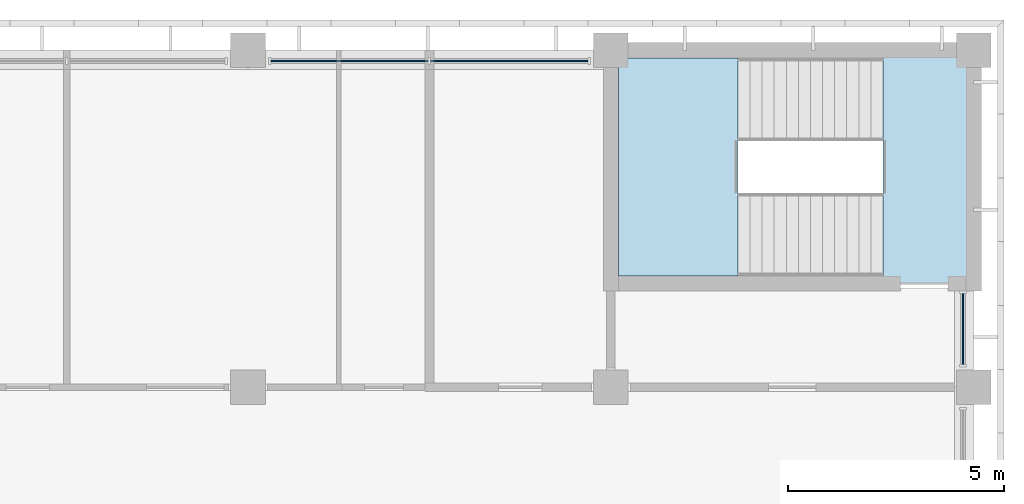
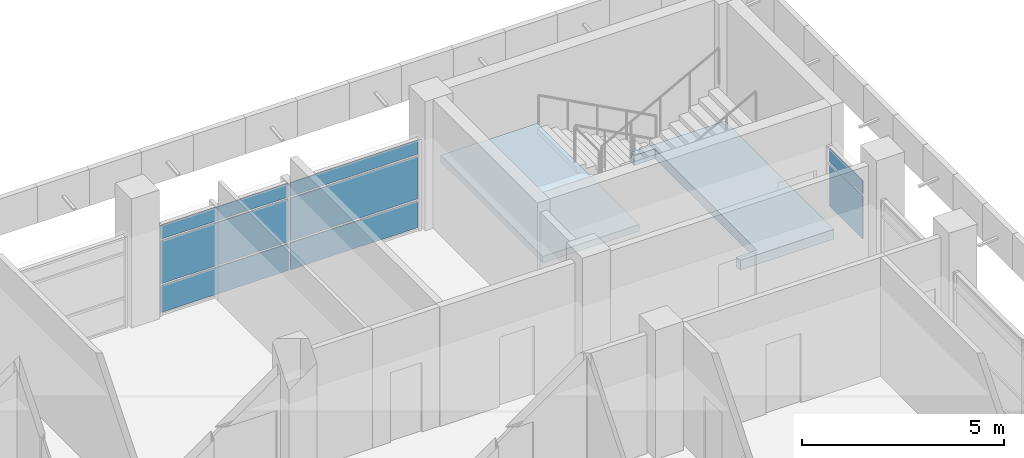
# One storey, part 26 of 71: 8 plates, 2 slabs, 3 elements without a shape of their own.
"""IFC4 building model written with IfcOpenShell, lengths in metres."""

from ifc_helpers import new_model, si_unit, direction, frame, origin, origin_2d, place, context, subcontext, project, spatial, polyline, rectangle, outline, extrude, material, layer, layer_set, type_object, element, aggregate, save


model = new_model("IFC4")

# Units and contexts
model_context = context("Model", 3, precision=1e-05, world=origin(), true_north=direction((0.0, 1.0)))
body_context = subcontext(model_context, "Body", "Model", "MODEL_VIEW")
ifc_project = project(units=[si_unit("LENGTHUNIT", "METRE"), si_unit("AREAUNIT", "SQUARE_METRE"), si_unit("VOLUMEUNIT", "CUBIC_METRE"), si_unit("PLANEANGLEUNIT", "RADIAN"), si_unit("MASSUNIT", "GRAM", prefix="KILO")], contexts=[model_context])

# Site, building, storey
site_placement = place(None, origin())
site = spatial("IfcSite", under=ifc_project, at=site_placement, CompositionType="ELEMENT")
building_placement = place(site_placement, origin())
building = spatial("IfcBuilding", under=site, at=building_placement, Name="Bougainvillea Quay General Hospital", CompositionType="ELEMENT")
storey_placement = place(building_placement, frame((0.0, 0.0, 24.89990234375)))
storey = spatial("IfcBuildingStorey", under=building, at=storey_placement, Name="L05", CompositionType="ELEMENT", Elevation=24.89990234375)

# Curtain wall, plates
ifc_material_1 = material(Name="Aluminium curtain wall system, powder-coated glazed", Category="aluminium")
curtain_wall_type_1 = type_object("IfcCurtainWallType", Name="Unitised curtain wall CW-3730", PredefinedType="NOTDEFINED", material=ifc_material_1)
curtain_wall_1_placement = place(storey_placement, origin())
curtain_wall_1 = element("IfcCurtainWall", 1, at=curtain_wall_1_placement, inside=storey, type_object=curtain_wall_type_1, Name="CW-4200 00", PredefinedType="NOTDEFINED")
ifc_material_2 = material(Name="Insulated aluminium spandrel panel, white", Category="aluminium")
ifc_layer_1 = layer(ifc_material_2, 0.028076171875)
ifc_layer_set_1 = layer_set([ifc_layer_1], Name="Insulated aluminium spandrel panel, white")
plate_type_1 = type_object("IfcPlateType", Name="Insulated spandrel panel white 28", PredefinedType="CURTAIN_PANEL", material=ifc_layer_set_1)
plate_1_placement = place(storey_placement, frame((174.050048828125, 159.35009765625, 0.06005859375), z_axis=(0.0, 0.0, 1.0), x_axis=(-1.0, 0.0, 0.0)))
plate_1 = element("IfcPlate", 2, at=plate_1_placement, type_object=plate_type_1, Name="CW-4200 spandrel panel 1.1", PredefinedType="CURTAIN_PANEL", context=body_context, shape_type="SweptSolid", body=[
    extrude(rectangle(XDim=3.639892578125, YDim=0.028076171875, at=origin_2d()), origin(), (0.0, 0.0, 1.0), 0.81005859375),
])
plate_2_placement = place(storey_placement, frame((174.050048828125, 159.35009765625, 2.2802734375), z_axis=(0.0, 0.0, 1.0), x_axis=(-1.0, 0.0, 0.0)))
plate_2 = element("IfcPlate", 3, at=plate_2_placement, type_object=plate_type_1, Name="CW-4200 spandrel panel 1.3", PredefinedType="CURTAIN_PANEL", context=body_context, shape_type="SweptSolid", body=[
    extrude(rectangle(XDim=3.639892578125, YDim=0.028076171875, at=origin_2d()), origin(), (0.0, 0.0, 1.0), 0.409912109375),
])
plate_3_placement = place(storey_placement, frame((170.35009765625, 159.35009765625, 0.06005859375), z_axis=(0.0, 0.0, 1.0), x_axis=(-1.0, 0.0, 0.0)))
plate_3 = element("IfcPlate", 4, at=plate_3_placement, type_object=plate_type_1, Name="CW-4200 spandrel panel 2.1", PredefinedType="CURTAIN_PANEL", context=body_context, shape_type="SweptSolid", body=[
    extrude(rectangle(XDim=3.639892578125, YDim=0.028076171875, at=origin_2d()), origin(), (0.0, 0.0, 1.0), 0.81005859375),
])
plate_4_placement = place(storey_placement, frame((170.35009765625, 159.35009765625, 2.2802734375), z_axis=(0.0, 0.0, 1.0), x_axis=(-1.0, 0.0, 0.0)))
plate_4 = element("IfcPlate", 5, at=plate_4_placement, type_object=plate_type_1, Name="CW-4200 spandrel panel 2.3", PredefinedType="CURTAIN_PANEL", context=body_context, shape_type="SweptSolid", body=[
    extrude(rectangle(XDim=3.639892578125, YDim=0.028076171875, at=origin_2d()), origin(), (0.0, 0.0, 1.0), 0.409912109375),
])

# Curtain wall, plate
curtain_wall_type_2 = type_object("IfcCurtainWallType", Name="Unitised curtain wall CW-1755", PredefinedType="NOTDEFINED", material=ifc_material_1)
curtain_wall_2_placement = place(storey_placement, origin())
curtain_wall_2 = element("IfcCurtainWall", 6, at=curtain_wall_2_placement, inside=storey, type_object=curtain_wall_type_2, Name="CW-4200 02", PredefinedType="NOTDEFINED")
plate_5_placement = place(storey_placement, frame((184.550048828125, 153.1474609375, 2.2802734375), z_axis=(0.0, 0.0, 1.0), x_axis=(0.0, 1.0, 0.0)))
plate_5 = element("IfcPlate", 7, at=plate_5_placement, type_object=plate_type_1, Name="CW-4200 spandrel panel 1.3", PredefinedType="CURTAIN_PANEL", context=body_context, shape_type="SweptSolid", body=[
    extrude(rectangle(XDim=1.635009765625, YDim=0.028076171875, at=origin_2d()), origin(), (0.0, 0.0, 1.0), 0.409912109375),
])

# Plate
ifc_material_3 = material(Name="Low-e laminated glass, solar control", Category="glass")
ifc_layer_2 = layer(ifc_material_3, 0.028076171875)
ifc_layer_set_2 = layer_set([ifc_layer_2], Name="Low-e laminated glass, solar control")
plate_type_2 = type_object("IfcPlateType", Name="Low-e laminated vision glass 28", PredefinedType="CURTAIN_PANEL", material=ifc_layer_set_2)
plate_6_placement = place(storey_placement, frame((174.050048828125, 159.35009765625, 0.93017578125), z_axis=(0.0, 0.0, 1.0), x_axis=(-1.0, 0.0, 0.0)))
plate_6 = element("IfcPlate", 8, at=plate_6_placement, type_object=plate_type_2, Name="CW-4200 vision glass panel 1.2", PredefinedType="CURTAIN_PANEL", context=body_context, shape_type="SweptSolid", body=[
    extrude(rectangle(XDim=3.639892578125, YDim=0.028076171875, at=origin_2d()), origin(), (0.0, 0.0, 1.0), 1.2900390625),
])

plate_7_placement = place(storey_placement, frame((170.35009765625, 159.35009765625, 0.93017578125), z_axis=(0.0, 0.0, 1.0), x_axis=(-1.0, 0.0, 0.0)))
plate_7 = element("IfcPlate", 9, at=plate_7_placement, type_object=plate_type_2, Name="CW-4200 vision glass panel 2.2", PredefinedType="CURTAIN_PANEL", context=body_context, shape_type="SweptSolid", body=[
    extrude(rectangle(XDim=3.639892578125, YDim=0.028076171875, at=origin_2d()), origin(), (0.0, 0.0, 1.0), 1.2900390625),
])

aggregate(curtain_wall_1, [plate_1, plate_6, plate_2, plate_3, plate_7, plate_4])

plate_8_placement = place(storey_placement, frame((184.550048828125, 153.1474609375, 0.93017578125), z_axis=(0.0, 0.0, 1.0), x_axis=(0.0, 1.0, 0.0)))
plate_8 = element("IfcPlate", 10, at=plate_8_placement, type_object=plate_type_2, Name="CW-4200 vision glass panel 1.2", PredefinedType="CURTAIN_PANEL", context=body_context, shape_type="SweptSolid", body=[
    extrude(rectangle(XDim=1.635009765625, YDim=0.028076171875, at=origin_2d()), origin(), (0.0, 0.0, 1.0), 1.2900390625),
])

aggregate(curtain_wall_2, [plate_8, plate_5])

# Slab
ifc_material_4 = material(Name="Concrete C35", Category="concrete")
ifc_layer_3 = layer(ifc_material_4, 0.300048828125)
ifc_layer_set_3 = layer_set([ifc_layer_3], Name="Concrete C35")
slab_type_1 = type_object("IfcSlabType", Name="RC FLAT SLAB 300 C35", PredefinedType="FLOOR", material=ifc_layer_set_3)
slab_1_placement = place(storey_placement, frame((0.0, 0.0, -0.2998046875)))
element("IfcSlab", 11, at=slab_1_placement, inside=storey, type_object=slab_type_1, Name="Stair landing floor ST-A4 L05", PredefinedType="FLOOR", context=body_context, shape_type="SweptSolid", body=[
    extrude(outline(polyline([(182.102783203125, 159.48388671875), (182.111572265625, 159.5419921875), (182.1259765625, 159.599609375), (184.800048828125, 159.60009765625), (184.800048828125, 154.199951171875), (182.1259765625, 154.200439453125), (182.111572265625, 154.2578125), (182.102783203125, 154.316162109375), (182.10009765625, 154.3740234375), (182.70068359375, 154.374267578125), (182.70068359375, 159.425537109375), (182.10009765625, 159.426025390625), (182.102783203125, 159.48388671875)])), origin(), (0.0, 0.0, 1.0), 0.2998046875),
])

# Stair, slab
stair_type = type_object("IfcStairType", Name="Stair half-turn 1925 wide", PredefinedType="HALF_TURN_STAIR", material=ifc_material_4)
stair_placement = place(storey_placement, origin())
stair = element("IfcStair", 12, at=stair_placement, inside=storey, type_object=stair_type, Name="L05 stair ST-A4", PredefinedType="HALF_TURN_STAIR")
ifc_layer_4 = layer(ifc_material_4, 0.199951171875)
ifc_layer_set_4 = layer_set([ifc_layer_4], Name="Concrete C35")
slab_type_2 = type_object("IfcSlabType", Name="Stair landing 200", PredefinedType="LANDING", material=ifc_layer_set_4)
slab_2_placement = place(storey_placement, frame((0.0, 0.0, 1.75)))
slab_2 = element("IfcSlab", 13, at=slab_2_placement, type_object=slab_type_2, Name="ST-A4 landing 1", PredefinedType="LANDING", context=body_context, shape_type="SweptSolid", body=[
    extrude(outline(polyline([(179.340087890625, 159.425048828125), (176.574951171875, 159.425048828125), (176.574951171875, 154.375), (179.340087890625, 154.375), (179.340087890625, 159.425048828125)])), origin(), (0.0, 0.0, 1.0), 0.2001953125),
])
aggregate(stair, [slab_2])

save(model, "model.ifc")
